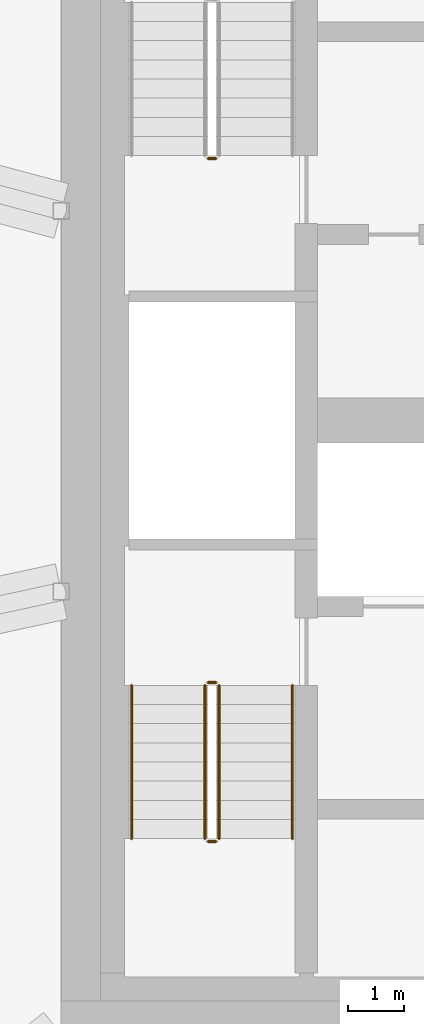
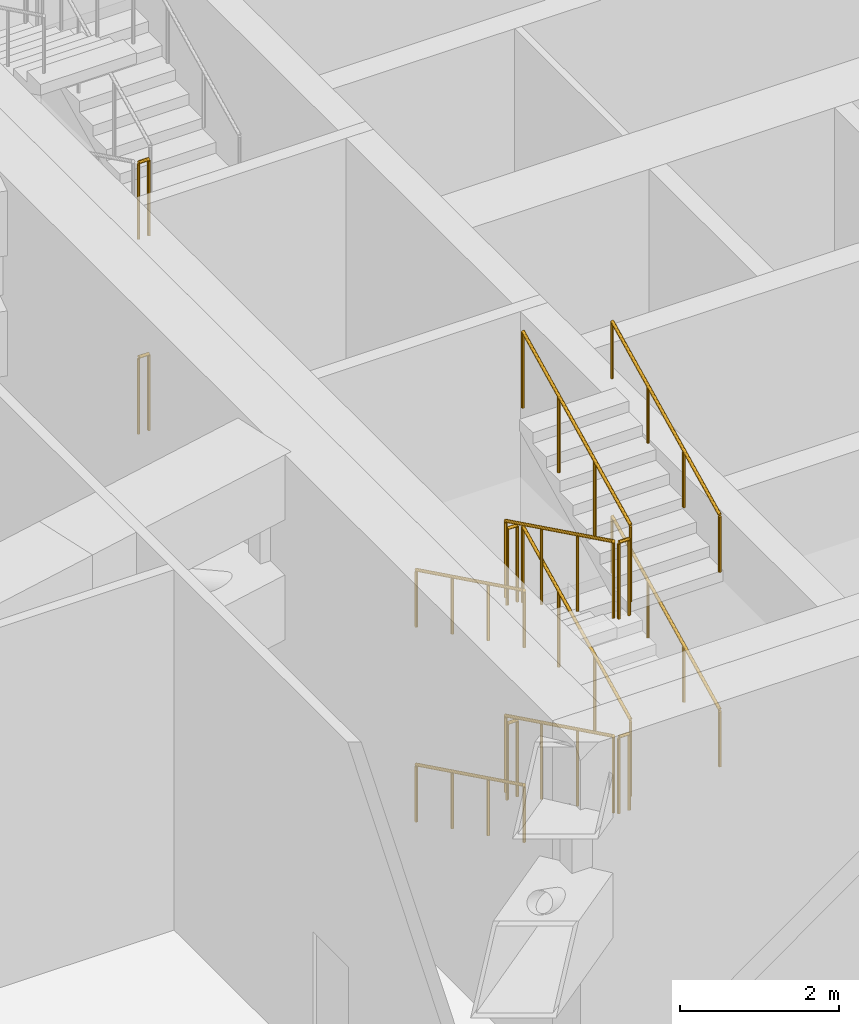
# One storey, part 26 of 31: 14 railings.
"""IFC4 building model written with IfcOpenShell, lengths in metres."""

from ifc_helpers import new_model, si_unit, direction, frame, origin, origin_2d, place, context, subcontext, project, spatial, circle, extrude, material, type_object, element, save


model = new_model("IFC4")

# Units and contexts
model_context = context("Model", 3, precision=1e-05, world=origin(), true_north=direction((0.0, 1.0)))
body_context = subcontext(model_context, "Body", "Model", "MODEL_VIEW")
ifc_project = project(units=[si_unit("LENGTHUNIT", "METRE"), si_unit("AREAUNIT", "SQUARE_METRE"), si_unit("VOLUMEUNIT", "CUBIC_METRE"), si_unit("PLANEANGLEUNIT", "RADIAN"), si_unit("MASSUNIT", "GRAM", prefix="KILO")], contexts=[model_context])

# Site, building, storey
site_placement = place(None, origin())
site = spatial("IfcSite", under=ifc_project, at=site_placement, CompositionType="ELEMENT")
building_placement = place(site_placement, origin())
building = spatial("IfcBuilding", under=site, at=building_placement, Name="Dongbaek Canopy Tower", CompositionType="ELEMENT")
storey_placement = place(building_placement, frame((0.0, 0.0, 283.199951171875)))
storey = spatial("IfcBuildingStorey", under=building, at=storey_placement, Name="L60", CompositionType="ELEMENT", Elevation=283.199951171875)

# Railings
ifc_material_1 = material(Name="Stainless steel tube and balusters", Category="steel")
railing_type_1 = type_object("IfcRailingType", Name="Stair guard 1200", PredefinedType="GUARDRAIL", material=ifc_material_1)
for number, where, name in (
    (1, (-11.25, 4.64990234375, 3.0), "L60 ST-C stair guard 4"),
    (2, (-11.25, 4.64990234375, 0.0), "L60 ST-C stair guard 8"),
):
    element("IfcRailing", number, at=place(storey_placement, frame(where)), inside=storey, type_object=railing_type_1, Name=name, PredefinedType="GUARDRAIL", context=body_context, shape_type="SweptSolid", body=[
        extrude(circle(Radius=0.02392578125, at=origin_2d()), frame((0.0, 0.0, 1.17578125), z_axis=(-1.0, 0.0, 0.0), x_axis=(0.0, -1.0, 0.0)), (0.0, 0.0, 1.0), 0.14990234375),
        extrude(circle(Radius=0.02099609375, at=origin_2d()), origin(), (0.0, 0.0, 1.0), 1.15185546875),
        extrude(circle(Radius=0.02099609375, at=origin_2d()), frame((-0.14990234375, 0.0, 0.0)), (0.0, 0.0, 1.0), 1.15185546875),
    ])
railing_1_placement = place(storey_placement, frame((-11.449951171875, -4.699951171875, 0.166748046875)))
element("IfcRailing", 3, at=railing_1_placement, inside=storey, type_object=railing_type_1, Name="L60 ST-D stair guard 1", PredefinedType="GUARDRAIL", context=body_context, shape_type="SweptSolid", body=[
    extrude(circle(Radius=0.02392578125, at=origin_2d()), frame((0.0, 0.0, 1.17578125), z_axis=(0.0, -0.897929466783, 0.4401393787), x_axis=(1.0, 0.0, 0.0)), (0.0, 0.0, 1.0), 3.029052734375),
    extrude(circle(Radius=0.02099609375, at=origin_2d()), origin(), (0.0, 0.0, 1.0), 1.15185546875),
    extrude(circle(Radius=0.02099609375, at=origin_2d()), frame((0.0, -0.90673828125, 0.4443359375)), (0.0, 0.0, 1.0), 1.15185546875),
    extrude(circle(Radius=0.02099609375, at=origin_2d()), frame((0.0, -1.813232421875, 0.888916015625)), (0.0, 0.0, 1.0), 1.15185546875),
    extrude(circle(Radius=0.02099609375, at=origin_2d()), frame((0.0, -2.719970703125, 1.333251953125)), (0.0, 0.0, 1.0), 1.15185546875),
])
railing_2_placement = place(storey_placement, frame((-11.39990234375, -7.469970703125, 1.5)))
element("IfcRailing", 4, at=railing_2_placement, inside=storey, type_object=railing_type_1, Name="L60 ST-D stair guard 2", PredefinedType="GUARDRAIL", context=body_context, shape_type="SweptSolid", body=[
    extrude(circle(Radius=0.02392578125, at=origin_2d()), frame((0.0, 0.0, 1.17578125), z_axis=(1.0, 0.0, 0.0), x_axis=(0.0, 1.0, 0.0)), (0.0, 0.0, 1.0), 0.14990234375),
    extrude(circle(Radius=0.02099609375, at=origin_2d()), origin(), (0.0, 0.0, 1.0), 1.15185546875),
    extrude(circle(Radius=0.02099609375, at=origin_2d()), frame((0.14990234375, 0.0, 0.0)), (0.0, 0.0, 1.0), 1.15185546875),
])
railing_3_placement = place(storey_placement, frame((-11.199951171875, -7.419921875, 1.666748046875)))
element("IfcRailing", 5, at=railing_3_placement, inside=storey, type_object=railing_type_1, Name="L60 ST-D stair guard 3", PredefinedType="GUARDRAIL", context=body_context, shape_type="SweptSolid", body=[
    extrude(circle(Radius=0.02392578125, at=origin_2d()), frame((0.0, 0.0, 1.17578125), z_axis=(0.0, 0.897929466783, 0.4401393787), x_axis=(-1.0, 0.0, 0.0)), (0.0, 0.0, 1.0), 3.029052734375),
    extrude(circle(Radius=0.02099609375, at=origin_2d()), origin(), (0.0, 0.0, 1.0), 1.15185546875),
    extrude(circle(Radius=0.02099609375, at=origin_2d()), frame((0.0, 0.90673828125, 0.4443359375)), (0.0, 0.0, 1.0), 1.15185546875),
    extrude(circle(Radius=0.02099609375, at=origin_2d()), frame((0.0, 1.813232421875, 0.888916015625)), (0.0, 0.0, 1.0), 1.15185546875),
    extrude(circle(Radius=0.02099609375, at=origin_2d()), frame((0.0, 2.719970703125, 1.333251953125)), (0.0, 0.0, 1.0), 1.15185546875),
])
railing_4_placement = place(storey_placement, frame((-11.39990234375, -4.64990234375, 3.0)))
element("IfcRailing", 6, at=railing_4_placement, inside=storey, type_object=railing_type_1, Name="L60 ST-D stair guard 4", PredefinedType="GUARDRAIL", context=body_context, shape_type="SweptSolid", body=[
    extrude(circle(Radius=0.02392578125, at=origin_2d()), frame((0.0, 0.0, 1.17578125), z_axis=(1.0, 0.0, 0.0), x_axis=(0.0, 1.0, 0.0)), (0.0, 0.0, 1.0), 0.14990234375),
    extrude(circle(Radius=0.02099609375, at=origin_2d()), origin(), (0.0, 0.0, 1.0), 1.15185546875),
    extrude(circle(Radius=0.02099609375, at=origin_2d()), frame((0.14990234375, 0.0, 0.0)), (0.0, 0.0, 1.0), 1.15185546875),
])
railing_5_placement = place(storey_placement, frame((-11.449951171875, -4.699951171875, 3.166748046875)))
element("IfcRailing", 7, at=railing_5_placement, inside=storey, type_object=railing_type_1, Name="L60 ST-D stair guard 5", PredefinedType="GUARDRAIL", context=body_context, shape_type="SweptSolid", body=[
    extrude(circle(Radius=0.02392578125, at=origin_2d()), frame((0.0, 0.0, 1.17578125), z_axis=(0.0, -0.897929466783, 0.4401393787), x_axis=(1.0, 0.0, 0.0)), (0.0, 0.0, 1.0), 3.029052734375),
    extrude(circle(Radius=0.02099609375, at=origin_2d()), origin(), (0.0, 0.0, 1.0), 1.15185546875),
    extrude(circle(Radius=0.02099609375, at=origin_2d()), frame((0.0, -0.90673828125, 0.4443359375)), (0.0, 0.0, 1.0), 1.15185546875),
    extrude(circle(Radius=0.02099609375, at=origin_2d()), frame((0.0, -1.813232421875, 0.888916015625)), (0.0, 0.0, 1.0), 1.15185546875),
    extrude(circle(Radius=0.02099609375, at=origin_2d()), frame((0.0, -2.719970703125, 1.333251953125)), (0.0, 0.0, 1.0), 1.15185546875),
])
railing_6_placement = place(storey_placement, frame((-11.39990234375, -7.469970703125, 4.5)))
element("IfcRailing", 8, at=railing_6_placement, inside=storey, type_object=railing_type_1, Name="L60 ST-D stair guard 6", PredefinedType="GUARDRAIL", context=body_context, shape_type="SweptSolid", body=[
    extrude(circle(Radius=0.02392578125, at=origin_2d()), frame((0.0, 0.0, 1.17578125), z_axis=(1.0, 0.0, 0.0), x_axis=(0.0, 1.0, 0.0)), (0.0, 0.0, 1.0), 0.14990234375),
    extrude(circle(Radius=0.02099609375, at=origin_2d()), origin(), (0.0, 0.0, 1.0), 1.15185546875),
    extrude(circle(Radius=0.02099609375, at=origin_2d()), frame((0.14990234375, 0.0, 0.0)), (0.0, 0.0, 1.0), 1.15185546875),
])
railing_7_placement = place(storey_placement, frame((-11.199951171875, -7.419921875, 4.666748046875)))
element("IfcRailing", 9, at=railing_7_placement, inside=storey, type_object=railing_type_1, Name="L60 ST-D stair guard 7", PredefinedType="GUARDRAIL", context=body_context, shape_type="SweptSolid", body=[
    extrude(circle(Radius=0.02392578125, at=origin_2d()), frame((0.0, 0.0, 1.17578125), z_axis=(0.0, 0.897929466783, 0.4401393787), x_axis=(-1.0, 0.0, 0.0)), (0.0, 0.0, 1.0), 3.029052734375),
    extrude(circle(Radius=0.02099609375, at=origin_2d()), origin(), (0.0, 0.0, 1.0), 1.15185546875),
    extrude(circle(Radius=0.02099609375, at=origin_2d()), frame((0.0, 0.90673828125, 0.4443359375)), (0.0, 0.0, 1.0), 1.15185546875),
    extrude(circle(Radius=0.02099609375, at=origin_2d()), frame((0.0, 1.813232421875, 0.888916015625)), (0.0, 0.0, 1.0), 1.15185546875),
    extrude(circle(Radius=0.02099609375, at=origin_2d()), frame((0.0, 2.719970703125, 1.333251953125)), (0.0, 0.0, 1.0), 1.15185546875),
])
railing_8_placement = place(storey_placement, frame((-11.39990234375, -4.64990234375, 0.0)))
element("IfcRailing", 10, at=railing_8_placement, inside=storey, type_object=railing_type_1, Name="L60 ST-D stair guard 8", PredefinedType="GUARDRAIL", context=body_context, shape_type="SweptSolid", body=[
    extrude(circle(Radius=0.02392578125, at=origin_2d()), frame((0.0, 0.0, 1.17578125), z_axis=(1.0, 0.0, 0.0), x_axis=(0.0, 1.0, 0.0)), (0.0, 0.0, 1.0), 0.14990234375),
    extrude(circle(Radius=0.02099609375, at=origin_2d()), origin(), (0.0, 0.0, 1.0), 1.15185546875),
    extrude(circle(Radius=0.02099609375, at=origin_2d()), frame((0.14990234375, 0.0, 0.0)), (0.0, 0.0, 1.0), 1.15185546875),
])
ifc_material_2 = material(Name="Stainless steel tube", Category="steel")
railing_type_2 = type_object("IfcRailingType", Name="Stair handrail 900", PredefinedType="HANDRAIL", material=ifc_material_2)
railing_9_placement = place(storey_placement, frame((-12.75, -4.699951171875, 0.166748046875)))
element("IfcRailing", 11, at=railing_9_placement, inside=storey, type_object=railing_type_2, Name="L60 ST-D stair handrail 1", PredefinedType="HANDRAIL", context=body_context, shape_type="SweptSolid", body=[
    extrude(circle(Radius=0.02392578125, at=origin_2d()), frame((0.0, 0.0, 0.8759765625), z_axis=(0.0, -0.897929466783, 0.4401393787), x_axis=(1.0, 0.0, 0.0)), (0.0, 0.0, 1.0), 3.029052734375),
    extrude(circle(Radius=0.02099609375, at=origin_2d()), origin(), (0.0, 0.0, 1.0), 0.851806640625),
    extrude(circle(Radius=0.02099609375, at=origin_2d()), frame((0.0, -0.90673828125, 0.4443359375)), (0.0, 0.0, 1.0), 0.851806640625),
    extrude(circle(Radius=0.02099609375, at=origin_2d()), frame((0.0, -1.813232421875, 0.888916015625)), (0.0, 0.0, 1.0), 0.851806640625),
    extrude(circle(Radius=0.02099609375, at=origin_2d()), frame((0.0, -2.719970703125, 1.333251953125)), (0.0, 0.0, 1.0), 0.851806640625),
])
railing_10_placement = place(storey_placement, frame((-9.89990234375, -7.419921875, 1.666748046875)))
element("IfcRailing", 12, at=railing_10_placement, inside=storey, type_object=railing_type_2, Name="L60 ST-D stair handrail 2", PredefinedType="HANDRAIL", context=body_context, shape_type="SweptSolid", body=[
    extrude(circle(Radius=0.02392578125, at=origin_2d()), frame((0.0, 0.0, 0.8759765625), z_axis=(0.0, 0.897929466783, 0.4401393787), x_axis=(-1.0, 0.0, 0.0)), (0.0, 0.0, 1.0), 3.029052734375),
    extrude(circle(Radius=0.02099609375, at=origin_2d()), origin(), (0.0, 0.0, 1.0), 0.851806640625),
    extrude(circle(Radius=0.02099609375, at=origin_2d()), frame((0.0, 0.90673828125, 0.4443359375)), (0.0, 0.0, 1.0), 0.851806640625),
    extrude(circle(Radius=0.02099609375, at=origin_2d()), frame((0.0, 1.813232421875, 0.888916015625)), (0.0, 0.0, 1.0), 0.851806640625),
    extrude(circle(Radius=0.02099609375, at=origin_2d()), frame((0.0, 2.719970703125, 1.333251953125)), (0.0, 0.0, 1.0), 0.851806640625),
])
railing_11_placement = place(storey_placement, frame((-12.75, -4.699951171875, 3.166748046875)))
element("IfcRailing", 13, at=railing_11_placement, inside=storey, type_object=railing_type_2, Name="L60 ST-D stair handrail 3", PredefinedType="HANDRAIL", context=body_context, shape_type="SweptSolid", body=[
    extrude(circle(Radius=0.02392578125, at=origin_2d()), frame((0.0, 0.0, 0.8759765625), z_axis=(0.0, -0.897929466783, 0.4401393787), x_axis=(1.0, 0.0, 0.0)), (0.0, 0.0, 1.0), 3.029052734375),
    extrude(circle(Radius=0.02099609375, at=origin_2d()), origin(), (0.0, 0.0, 1.0), 0.851806640625),
    extrude(circle(Radius=0.02099609375, at=origin_2d()), frame((0.0, -0.90673828125, 0.4443359375)), (0.0, 0.0, 1.0), 0.851806640625),
    extrude(circle(Radius=0.02099609375, at=origin_2d()), frame((0.0, -1.813232421875, 0.888916015625)), (0.0, 0.0, 1.0), 0.851806640625),
    extrude(circle(Radius=0.02099609375, at=origin_2d()), frame((0.0, -2.719970703125, 1.333251953125)), (0.0, 0.0, 1.0), 0.851806640625),
])
railing_12_placement = place(storey_placement, frame((-9.89990234375, -7.419921875, 4.666748046875)))
element("IfcRailing", 14, at=railing_12_placement, inside=storey, type_object=railing_type_2, Name="L60 ST-D stair handrail 4", PredefinedType="HANDRAIL", context=body_context, shape_type="SweptSolid", body=[
    extrude(circle(Radius=0.02392578125, at=origin_2d()), frame((0.0, 0.0, 0.8759765625), z_axis=(0.0, 0.897929466783, 0.4401393787), x_axis=(-1.0, 0.0, 0.0)), (0.0, 0.0, 1.0), 3.029052734375),
    extrude(circle(Radius=0.02099609375, at=origin_2d()), origin(), (0.0, 0.0, 1.0), 0.851806640625),
    extrude(circle(Radius=0.02099609375, at=origin_2d()), frame((0.0, 0.90673828125, 0.4443359375)), (0.0, 0.0, 1.0), 0.851806640625),
    extrude(circle(Radius=0.02099609375, at=origin_2d()), frame((0.0, 1.813232421875, 0.888916015625)), (0.0, 0.0, 1.0), 0.851806640625),
    extrude(circle(Radius=0.02099609375, at=origin_2d()), frame((0.0, 2.719970703125, 1.333251953125)), (0.0, 0.0, 1.0), 0.851806640625),
])

save(model, "model.ifc")
